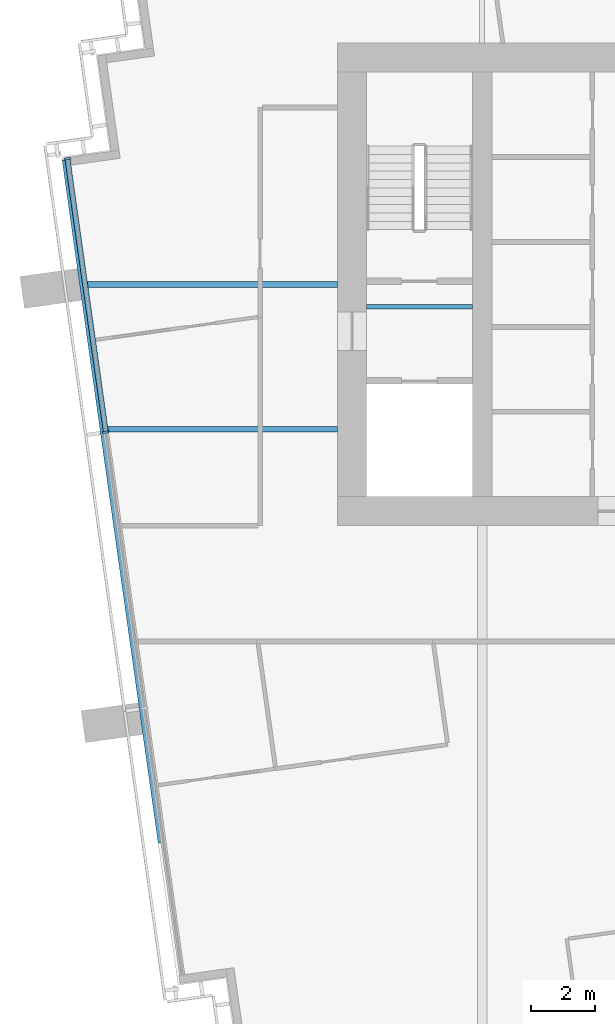
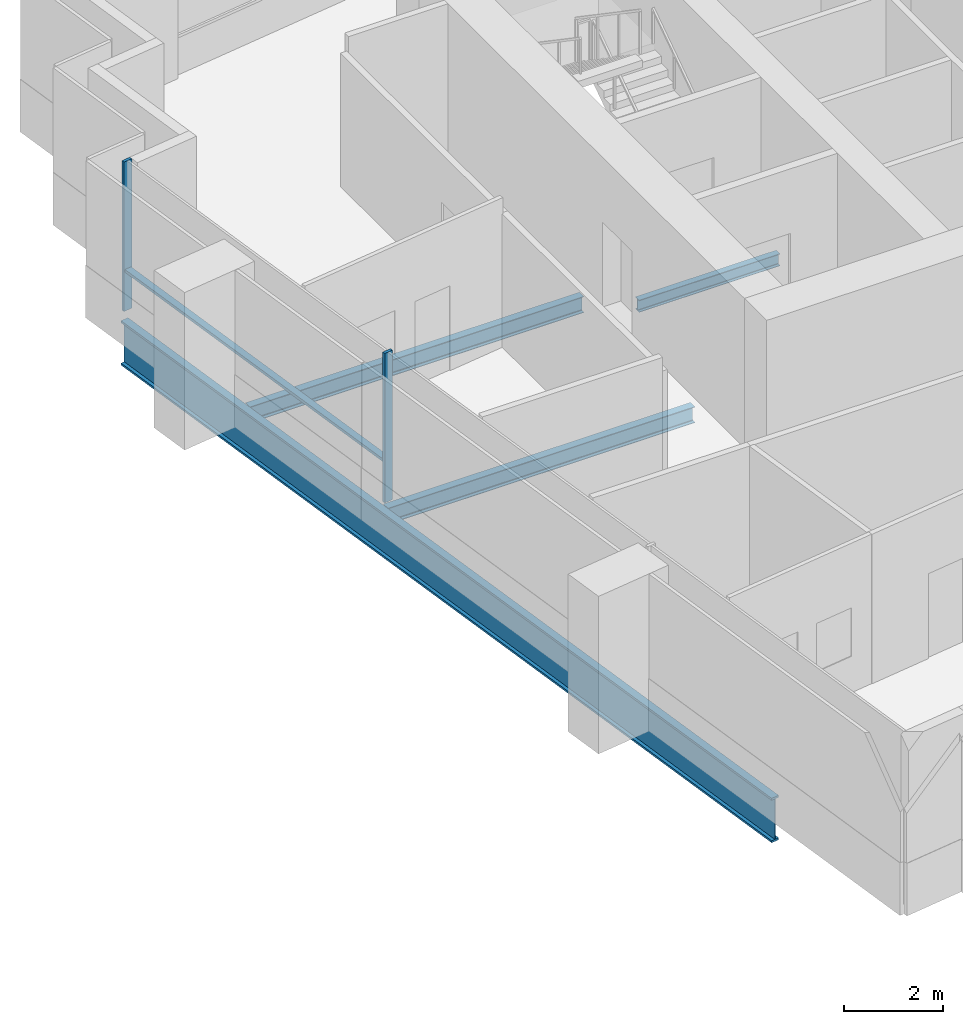
# One storey, part 3 of 15: 4 beams, 3 members, 1 element without a shape of its own.
"""IFC4 building model written with IfcOpenShell, lengths in metres."""

from ifc_helpers import new_model, si_unit, direction, frame, origin, origin_2d, place, context, subcontext, project, spatial, rectangle, i_section, extrude, material, layer, layer_set, material_profile, profile_set, type_object, element, aggregate, save


model = new_model("IFC4")

# Units and contexts
model_context = context("Model", 3, precision=1e-05, world=origin(), true_north=direction((0.0, 1.0)))
body_context = subcontext(model_context, "Body", "Model", "MODEL_VIEW")
ifc_project = project(units=[si_unit("LENGTHUNIT", "METRE"), si_unit("AREAUNIT", "SQUARE_METRE"), si_unit("VOLUMEUNIT", "CUBIC_METRE"), si_unit("PLANEANGLEUNIT", "RADIAN"), si_unit("MASSUNIT", "GRAM", prefix="KILO")], contexts=[model_context])

# Site, building, storey
site_placement = place(None, origin())
site = spatial("IfcSite", under=ifc_project, at=site_placement, CompositionType="ELEMENT")
building_placement = place(site_placement, origin())
building = spatial("IfcBuilding", under=site, at=building_placement, Name="Rattan Terrace Tower", CompositionType="ELEMENT")
storey_placement = place(building_placement, frame((0.0, 0.0, 262.89990234375)))
storey = spatial("IfcBuildingStorey", under=building, at=storey_placement, Name="L60", CompositionType="ELEMENT", Elevation=262.89990234375)

# Beams
ifc_material_1 = material(Name="Steel S460", Category="steel")
ifc_material_profile_1 = material_profile(ifc_material_1, i_section(OverallWidth=0.179931640625, OverallDepth=1.10009765625, WebThickness=0.01611328125, FlangeThickness=0.050048828125, at=origin_2d()), Name="PG 1100x180-16-50")
ifc_profile_set_1 = profile_set([ifc_material_profile_1], Name="Steel S460")
beam_type_1 = type_object("IfcBeamType", Name="Frame edge girder PG 1100x180-16-50", PredefinedType="SPANDREL", material=ifc_profile_set_1)
beam_1_placement = place(storey_placement, frame((-23.485107421875, -17.347900390625, -0.75), z_axis=(-0.139189723544, 0.990265732448, 0.0), x_axis=(-0.990265732448, -0.139189723544, 0.0)))
element("IfcBeam", 1, at=beam_1_placement, inside=storey, type_object=beam_type_1, Name="gdr-L60-003", PredefinedType="SPANDREL", context=body_context, shape_type="SweptSolid", body=[
    extrude(i_section(OverallWidth=0.179931640625, OverallDepth=1.10009765625, WebThickness=0.01611328125, FlangeThickness=0.050048828125, at=origin_2d()), origin(), (0.0, 0.0, 1.0), 21.430419921875),
])
ifc_material_2 = material(Name="Steel S355", Category="steel")
ifc_material_profile_2 = material_profile(ifc_material_2, i_section(OverallWidth=0.14990234375, OverallDepth=0.300048828125, WebThickness=0.007080078125, FlangeThickness=0.0107421875, FilletRadius=0.014892578125, at=origin_2d()), Name="IPE 300")
ifc_profile_set_2 = profile_set([ifc_material_profile_2], Name="Steel S355")
beam_type_2 = type_object("IfcBeamType", Name="Frame floor beam IPE 300", PredefinedType="JOIST", material=ifc_profile_set_2)
beam_2_placement = place(storey_placement, frame((-17.10009765625, -0.695068359375, -0.349853515625), z_axis=(1.0, 0.0, 0.0), x_axis=(0.0, 1.0, 0.0)))
element("IfcBeam", 2, at=beam_2_placement, inside=storey, type_object=beam_type_2, Name="bm-L60-001", PredefinedType="JOIST", context=body_context, shape_type="SweptSolid", body=[
    extrude(i_section(OverallWidth=0.14990234375, OverallDepth=0.300048828125, WebThickness=0.007080078125, FlangeThickness=0.0107421875, FilletRadius=0.014892578125, at=origin_2d()), origin(), (0.0, 0.0, 1.0), 3.300048828125),
])
ifc_material_3 = material(Name="Steel S355", Category="steel")
ifc_material_profile_3 = material_profile(ifc_material_3, i_section(OverallWidth=0.179931640625, OverallDepth=0.39990234375, WebThickness=0.008544921875, FlangeThickness=0.013427734375, FilletRadius=0.02099609375, at=origin_2d()), Name="IPE 400")
ifc_profile_set_3 = profile_set([ifc_material_profile_3], Name="Steel S355")
beam_type_3 = type_object("IfcBeamType", Name="Frame floor beam IPE 400", PredefinedType="JOIST", material=ifc_profile_set_3)
beam_3_placement = place(storey_placement, frame((-25.18701171875, -4.5, -0.39990234375), z_axis=(1.0, 0.0, 0.0), x_axis=(0.0, 1.0, 0.0)))
element("IfcBeam", 3, at=beam_3_placement, inside=storey, type_object=beam_type_3, Name="bm-L60-010", PredefinedType="JOIST", context=body_context, shape_type="SweptSolid", body=[
    extrude(i_section(OverallWidth=0.179931640625, OverallDepth=0.39990234375, WebThickness=0.008544921875, FlangeThickness=0.013427734375, FilletRadius=0.02099609375, at=origin_2d()), origin(), (0.0, 0.0, 1.0), 7.18701171875),
])
beam_4_placement = place(storey_placement, frame((-25.820068359375, 0.0, -0.39990234375), z_axis=(1.0, 0.0, 0.0), x_axis=(0.0, 1.0, 0.0)))
element("IfcBeam", 4, at=beam_4_placement, inside=storey, type_object=beam_type_3, Name="bm-L60-012", PredefinedType="JOIST", context=body_context, shape_type="SweptSolid", body=[
    extrude(i_section(OverallWidth=0.179931640625, OverallDepth=0.39990234375, WebThickness=0.008544921875, FlangeThickness=0.013427734375, FilletRadius=0.02099609375, at=origin_2d()), origin(), (0.0, 0.0, 1.0), 7.820068359375),
])

# Curtain wall, members
ifc_material_4 = material(Name="Aluminium and laminated glass", Category="aluminium")
ifc_layer = layer(ifc_material_4, 0.199951171875)
ifc_layer_set = layer_set([ifc_layer], Name="High-Zone Unitised Curtain Wall")
curtain_wall_type = type_object("IfcCurtainWallType", Name="High-Zone Unitised Curtain Wall", PredefinedType="NOTDEFINED", material=ifc_layer_set)
curtain_wall_placement = place(storey_placement, origin())
curtain_wall = element("IfcCurtainWall", 5, at=curtain_wall_placement, inside=storey, type_object=curtain_wall_type, Name="High-zone curtain wall L60-3", PredefinedType="NOTDEFINED")
ifc_material_5 = material(Name="Aluminium", Category="aluminium")
ifc_material_profile_4 = material_profile(ifc_material_5, rectangle(XDim=0.070068359375, YDim=0.199951171875, at=origin_2d()), Name="Aluminium 70x200")
ifc_profile_set_4 = profile_set([ifc_material_profile_4], Name="Aluminium")
member_type_1 = type_object("IfcMemberType", Name="High-Zone CW Mullion 70x200", PredefinedType="MULLION", material=ifc_profile_set_4)
member_1_placement = place(storey_placement, frame((-26.3916015625, 3.908447265625, 0.0), z_axis=(0.0, 0.0, 1.0), x_axis=(0.139191775431, -0.990265444036, 0.0)))
member_1 = element("IfcMember", 6, at=member_1_placement, type_object=member_type_1, Name="Mullion cwl-L60-003.1", PredefinedType="MULLION", context=body_context, shape_type="SweptSolid", body=[
    extrude(rectangle(XDim=0.070068359375, YDim=0.199951171875, at=origin_2d()), origin(), (0.0, 0.0, 1.0), 3.7001953125),
])
member_2_placement = place(storey_placement, frame((-25.1962890625, -4.594970703125, 0.0), z_axis=(0.0, 0.0, 1.0), x_axis=(0.139191775431, -0.990265444036, 0.0)))
member_2 = element("IfcMember", 7, at=member_2_placement, type_object=member_type_1, Name="Mullion cwl-L60-003.2", PredefinedType="MULLION", context=body_context, shape_type="SweptSolid", body=[
    extrude(rectangle(XDim=0.070068359375, YDim=0.199951171875, at=origin_2d()), origin(), (0.0, 0.0, 1.0), 3.7001953125),
])
ifc_material_6 = material(Name="Aluminium", Category="aluminium")
ifc_material_profile_5 = material_profile(ifc_material_6, rectangle(XDim=0.159912109375, YDim=0.070068359375, at=origin_2d()), Name="Aluminium 160x70")
ifc_profile_set_5 = profile_set([ifc_material_profile_5], Name="Aluminium")
member_type_2 = type_object("IfcMemberType", Name="High-Zone CW Transom 160x70", PredefinedType="USERDEFINED", material=ifc_profile_set_5)
member_3_placement = place(storey_placement, frame((-26.38671875, 3.873779296875, 1.0), z_axis=(0.139197734293, -0.99026460644, 0.0), x_axis=(0.99026460644, 0.139197734293, 0.0)))
member_3 = element("IfcMember", 8, at=member_3_placement, type_object=member_type_2, Name="Transom cwl-L60-003.1", ObjectType="TRANSOM", PredefinedType="USERDEFINED", context=body_context, shape_type="SweptSolid", body=[
    extrude(rectangle(XDim=0.159912109375, YDim=0.070068359375, at=origin_2d()), origin(), (0.0, 0.0, 1.0), 8.51708984375),
])
aggregate(curtain_wall, [member_1, member_2, member_3])

save(model, "model.ifc")
